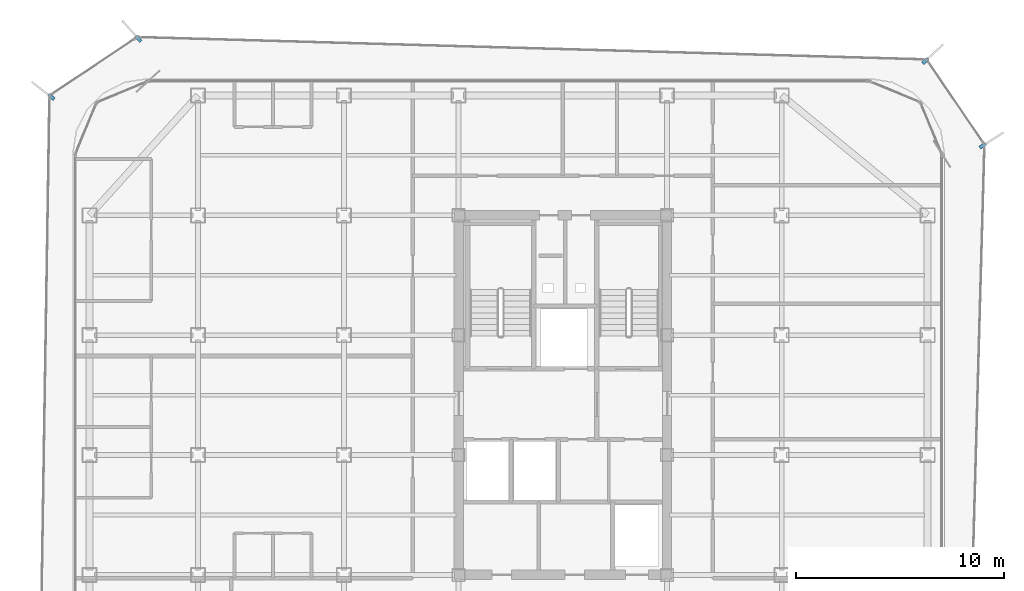
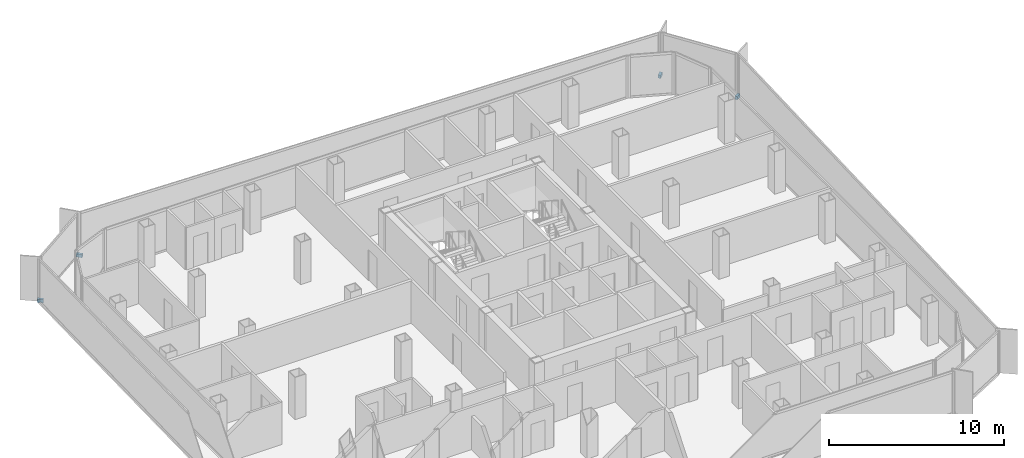
# One storey, part 13 of 16: 4 discrete accessories.
"""IFC4 building model written with IfcOpenShell, lengths in metres."""

from ifc_helpers import new_model, si_unit, direction, frame, origin, origin_2d, place, context, subcontext, project, spatial, rectangle, extrude, source, transform, mapped, material, type_object, element, save


model = new_model("IFC4")

# Units and contexts
model_context = context("Model", 3, precision=1e-05, world=origin(), true_north=direction((0.0, 1.0)))
body_context = subcontext(model_context, "Body", "Model", "MODEL_VIEW")
ifc_project = project(units=[si_unit("LENGTHUNIT", "METRE"), si_unit("AREAUNIT", "SQUARE_METRE"), si_unit("VOLUMEUNIT", "CUBIC_METRE"), si_unit("PLANEANGLEUNIT", "RADIAN"), si_unit("MASSUNIT", "GRAM", prefix="KILO")], contexts=[model_context])

# Site, building, storey
site_placement = place(None, origin())
site = spatial("IfcSite", under=ifc_project, at=site_placement, CompositionType="ELEMENT")
building_placement = place(site_placement, origin())
building = spatial("IfcBuilding", under=site, at=building_placement, Name="Kolveth Station Tower", CompositionType="ELEMENT")
storey_placement = place(building_placement, frame((0.0, 0.0, 209.199951171875)))
storey = spatial("IfcBuildingStorey", under=building, at=storey_placement, Name="L59", CompositionType="ELEMENT", Elevation=209.199951171875)

# Discrete accessories
ifc_material = material(Name="Steel S355", Category="steel")
discrete_accessory_type = type_object("IfcDiscreteAccessoryType", Name="Bracket_BK1", PredefinedType="BRACKET", material=ifc_material)
shared_shape = source(origin(), body_context, "Body", "SweptSolid", [
    extrude(rectangle(XDim=0.35009765625, YDim=0.159912109375, at=origin_2d()), origin(), (0.0, 0.0, 1.0), 0.219970703125),
])
for number, where, z_axis, x_axis, name in (
    (1, (43.64794921875, 32.092041015625, -0.06005859375), (0.0, 0.0, 1.0), (0.844234393225, 0.53597414984, 0.0), "L59 Double-Skin Radial Tie Bracket 3"),
    (2, (40.889892578125, 36.15087890625, -0.06005859375), (0.0, 0.0, 1.0), (0.733848438205, 0.679313233894, 0.0), "L59 Double-Skin Radial Tie Bracket 4"),
    (3, (3.14599609375, 37.218994140625, -0.06005859375), (0.0, 0.0, 1.0), (-0.671979137981, 0.74057007644, 0.0), "L59 Double-Skin Radial Tie Bracket 5"),
    (4, (-1.037109375, 34.428955078125, -0.06005859375), (0.0, 0.0, 1.0), (-0.794308601354, 0.607514481979, 0.0), "L59 Double-Skin Radial Tie Bracket 6"),
):
    element("IfcDiscreteAccessory", number, at=place(storey_placement, frame(where, z_axis=z_axis, x_axis=x_axis)), inside=storey, type_object=discrete_accessory_type, Name=name, PredefinedType="BRACKET", context=body_context, shape_type="MappedRepresentation", body=[
        mapped(shared_shape, transform((0.0, 0.0, 0.0), x_axis=(1.0, 0.0, 0.0), y_axis=(0.0, 1.0, 0.0), z_axis=(0.0, 0.0, 1.0), scale=1.0)),
    ])

save(model, "model.ifc")
